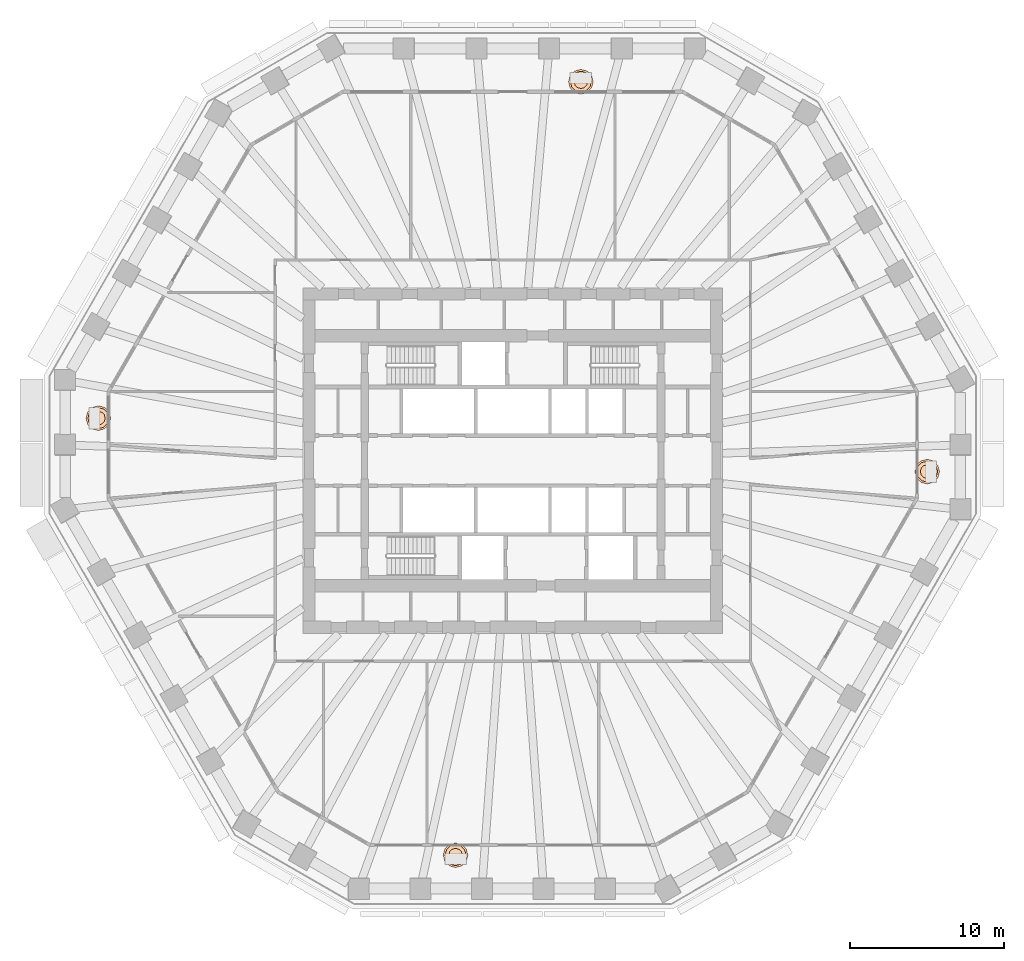
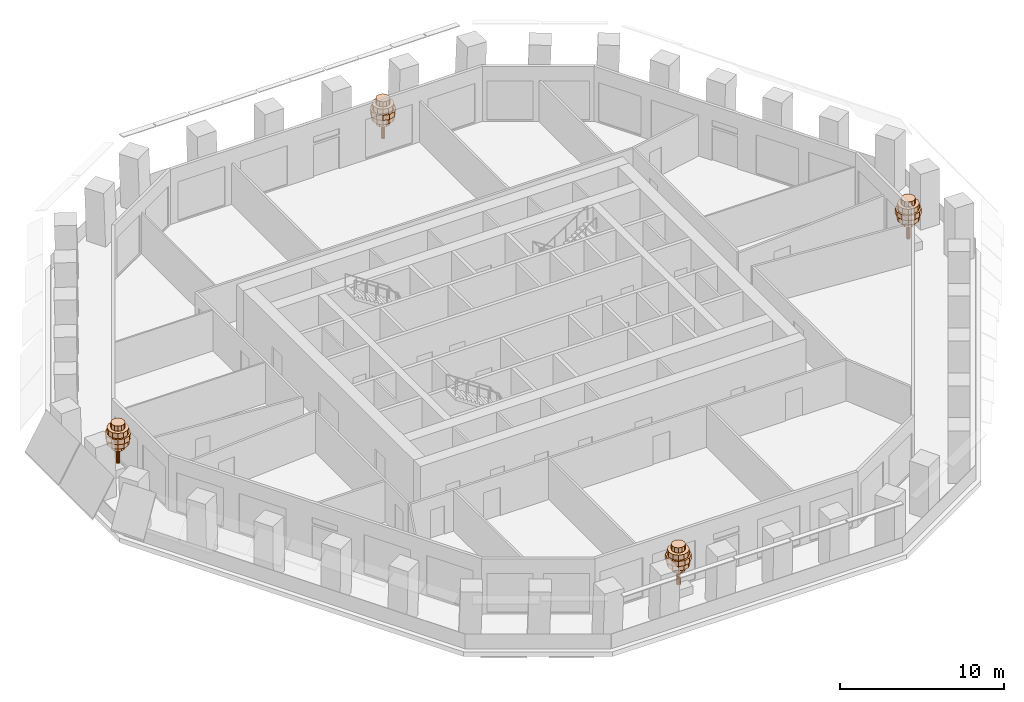
# One storey, part 13 of 13: 4 geographic elements.
"""IFC4 building model written with IfcOpenShell, lengths in metres."""

from ifc_helpers import new_model, si_unit, direction, frame, origin, place, context, subcontext, project, spatial, polyline, outline, extrude, material, type_object, element, save


model = new_model("IFC4")

# Units and contexts
model_context = context("Model", 3, precision=1e-05, world=origin(), true_north=direction((0.0, 1.0)))
body_context = subcontext(model_context, "Body", "Model", "MODEL_VIEW")
ifc_project = project(units=[si_unit("LENGTHUNIT", "METRE"), si_unit("AREAUNIT", "SQUARE_METRE"), si_unit("VOLUMEUNIT", "CUBIC_METRE"), si_unit("PLANEANGLEUNIT", "RADIAN"), si_unit("MASSUNIT", "GRAM", prefix="KILO")], contexts=[model_context])

# Site, building, storey
site_placement = place(None, origin())
site = spatial("IfcSite", under=ifc_project, at=site_placement, CompositionType="ELEMENT")
building_placement = place(site_placement, origin())
building = spatial("IfcBuilding", under=site, at=building_placement, Name="Frailejon Research Tower", CompositionType="ELEMENT")
storey_placement = place(building_placement, frame((0.0, 0.0, 113.199951171875)))
storey = spatial("IfcBuildingStorey", under=building, at=storey_placement, Name="L24", CompositionType="ELEMENT", Elevation=113.199951171875)

# Geographic elements
ifc_material = material(Name="Foliage, green")
geographic_element_type = type_object("IfcGeographicElementType", Name="Frailejon tree, loggia", PredefinedType="USERDEFINED", material=ifc_material)
geographic_element_1_placement = place(storey_placement, frame((26.8505859375, -0.7138671875, 0.60009765625)))
element("IfcGeographicElement", 1, at=geographic_element_1_placement, inside=storey, type_object=geographic_element_type, Name="Tree L24", ObjectType="TREE", PredefinedType="USERDEFINED", context=body_context, shape_type="SweptSolid", body=[
    extrude(outline(polyline([(0.1298828125, 0.0), (0.112548828125, 0.06494140625), (0.06494140625, 0.112548828125), (0.0, 0.1298828125), (-0.06494140625, 0.112548828125), (-0.112548828125, 0.06494140625), (-0.1298828125, 0.0), (-0.112548828125, -0.06494140625), (-0.06494140625, -0.112548828125), (0.0, -0.1298828125), (0.06494140625, -0.112548828125), (0.112548828125, -0.06494140625), (0.1298828125, 0.0)])), origin(), (0.0, 0.0, 1.0), 2.239990234375),
    extrude(outline(polyline([(0.43994140625, 0.0), (0.381103515625, 0.219970703125), (0.219970703125, 0.381103515625), (0.0, 0.43994140625), (-0.219970703125, 0.381103515625), (-0.381103515625, 0.219970703125), (-0.43994140625, 0.0), (-0.381103515625, -0.219970703125), (-0.219970703125, -0.381103515625), (0.0, -0.43994140625), (0.219970703125, -0.381103515625), (0.381103515625, -0.219970703125), (0.43994140625, 0.0)])), frame((0.0, 0.0, 1.10009765625)), (0.0, 0.0, 1.0), 0.3798828125),
    extrude(outline(polyline([(0.719970703125, 0.0), (0.62353515625, 0.360107421875), (0.360107421875, 0.62353515625), (0.0, 0.719970703125), (-0.360107421875, 0.62353515625), (-0.62353515625, 0.360107421875), (-0.719970703125, 0.0), (-0.62353515625, -0.360107421875), (-0.360107421875, -0.62353515625), (0.0, -0.719970703125), (0.360107421875, -0.62353515625), (0.62353515625, -0.360107421875), (0.719970703125, 0.0)])), frame((0.0, 0.0, 1.47998046875)), (0.0, 0.0, 1.0), 0.3798828125),
    extrude(outline(polyline([(0.800048828125, 0.0), (0.69287109375, 0.39990234375), (0.39990234375, 0.69287109375), (0.0, 0.800048828125), (-0.39990234375, 0.69287109375), (-0.69287109375, 0.39990234375), (-0.800048828125, 0.0), (-0.69287109375, -0.39990234375), (-0.39990234375, -0.69287109375), (0.0, -0.800048828125), (0.39990234375, -0.69287109375), (0.69287109375, -0.39990234375), (0.800048828125, 0.0)])), frame((0.0, 0.0, 1.860107421875)), (0.0, 0.0, 1.0), 0.3798828125),
    extrude(outline(polyline([(0.679931640625, 0.0), (0.5888671875, 0.340087890625), (0.340087890625, 0.5888671875), (0.0, 0.679931640625), (-0.340087890625, 0.5888671875), (-0.5888671875, 0.340087890625), (-0.679931640625, 0.0), (-0.5888671875, -0.340087890625), (-0.340087890625, -0.5888671875), (0.0, -0.679931640625), (0.340087890625, -0.5888671875), (0.5888671875, -0.340087890625), (0.679931640625, 0.0)])), frame((0.0, 0.0, 2.239990234375)), (0.0, 0.0, 1.0), 0.3798828125),
    extrude(outline(polyline([(0.43994140625, 0.0), (0.381103515625, 0.219970703125), (0.219970703125, 0.381103515625), (0.0, 0.43994140625), (-0.219970703125, 0.381103515625), (-0.381103515625, 0.219970703125), (-0.43994140625, 0.0), (-0.381103515625, -0.219970703125), (-0.219970703125, -0.381103515625), (0.0, -0.43994140625), (0.219970703125, -0.381103515625), (0.381103515625, -0.219970703125), (0.43994140625, 0.0)])), frame((0.0, 0.0, 2.6201171875)), (0.0, 0.0, 1.0), 0.3798828125),
])
geographic_element_2_placement = place(storey_placement, frame((4.412841796875, 24.550048828125, 0.60009765625)))
element("IfcGeographicElement", 2, at=geographic_element_2_placement, inside=storey, type_object=geographic_element_type, Name="Tree L24", ObjectType="TREE", PredefinedType="USERDEFINED", context=body_context, shape_type="SweptSolid", body=[
    extrude(outline(polyline([(0.1298828125, 0.0), (0.112548828125, 0.06494140625), (0.06494140625, 0.112548828125), (0.0, 0.1298828125), (-0.06494140625, 0.112548828125), (-0.112548828125, 0.06494140625), (-0.1298828125, 0.0), (-0.112548828125, -0.06494140625), (-0.06494140625, -0.112548828125), (0.0, -0.1298828125), (0.06494140625, -0.112548828125), (0.112548828125, -0.06494140625), (0.1298828125, 0.0)])), origin(), (0.0, 0.0, 1.0), 2.239990234375),
    extrude(outline(polyline([(0.43994140625, 0.0), (0.381103515625, 0.219970703125), (0.219970703125, 0.381103515625), (0.0, 0.43994140625), (-0.219970703125, 0.381103515625), (-0.381103515625, 0.219970703125), (-0.43994140625, 0.0), (-0.381103515625, -0.219970703125), (-0.219970703125, -0.381103515625), (0.0, -0.43994140625), (0.219970703125, -0.381103515625), (0.381103515625, -0.219970703125), (0.43994140625, 0.0)])), frame((0.0, 0.0, 1.10009765625)), (0.0, 0.0, 1.0), 0.3798828125),
    extrude(outline(polyline([(0.719970703125, 0.0), (0.62353515625, 0.360107421875), (0.360107421875, 0.62353515625), (0.0, 0.719970703125), (-0.360107421875, 0.62353515625), (-0.62353515625, 0.360107421875), (-0.719970703125, 0.0), (-0.62353515625, -0.360107421875), (-0.360107421875, -0.62353515625), (0.0, -0.719970703125), (0.360107421875, -0.62353515625), (0.62353515625, -0.360107421875), (0.719970703125, 0.0)])), frame((0.0, 0.0, 1.47998046875)), (0.0, 0.0, 1.0), 0.3798828125),
    extrude(outline(polyline([(0.800048828125, 0.0), (0.69287109375, 0.39990234375), (0.39990234375, 0.69287109375), (0.0, 0.800048828125), (-0.39990234375, 0.69287109375), (-0.69287109375, 0.39990234375), (-0.800048828125, 0.0), (-0.69287109375, -0.39990234375), (-0.39990234375, -0.69287109375), (0.0, -0.800048828125), (0.39990234375, -0.69287109375), (0.69287109375, -0.39990234375), (0.800048828125, 0.0)])), frame((0.0, 0.0, 1.860107421875)), (0.0, 0.0, 1.0), 0.3798828125),
    extrude(outline(polyline([(0.679931640625, 0.0), (0.5888671875, 0.340087890625), (0.340087890625, 0.5888671875), (0.0, 0.679931640625), (-0.340087890625, 0.5888671875), (-0.5888671875, 0.340087890625), (-0.679931640625, 0.0), (-0.5888671875, -0.340087890625), (-0.340087890625, -0.5888671875), (0.0, -0.679931640625), (0.340087890625, -0.5888671875), (0.5888671875, -0.340087890625), (0.679931640625, 0.0)])), frame((0.0, 0.0, 2.239990234375)), (0.0, 0.0, 1.0), 0.3798828125),
    extrude(outline(polyline([(0.43994140625, 0.0), (0.381103515625, 0.219970703125), (0.219970703125, 0.381103515625), (0.0, 0.43994140625), (-0.219970703125, 0.381103515625), (-0.381103515625, 0.219970703125), (-0.43994140625, 0.0), (-0.381103515625, -0.219970703125), (-0.219970703125, -0.381103515625), (0.0, -0.43994140625), (0.219970703125, -0.381103515625), (0.381103515625, -0.219970703125), (0.43994140625, 0.0)])), frame((0.0, 0.0, 2.6201171875)), (0.0, 0.0, 1.0), 0.3798828125),
])
geographic_element_3_placement = place(storey_placement, frame((-26.8505859375, 2.750244140625, 0.60009765625)))
element("IfcGeographicElement", 3, at=geographic_element_3_placement, inside=storey, type_object=geographic_element_type, Name="Tree L24", ObjectType="TREE", PredefinedType="USERDEFINED", context=body_context, shape_type="SweptSolid", body=[
    extrude(outline(polyline([(0.1298828125, 0.0), (0.112548828125, 0.06494140625), (0.06494140625, 0.112548828125), (0.0, 0.1298828125), (-0.06494140625, 0.112548828125), (-0.112548828125, 0.06494140625), (-0.1298828125, 0.0), (-0.112548828125, -0.06494140625), (-0.06494140625, -0.112548828125), (0.0, -0.1298828125), (0.06494140625, -0.112548828125), (0.112548828125, -0.06494140625), (0.1298828125, 0.0)])), origin(), (0.0, 0.0, 1.0), 2.239990234375),
    extrude(outline(polyline([(0.43994140625, 0.0), (0.381103515625, 0.219970703125), (0.219970703125, 0.381103515625), (0.0, 0.43994140625), (-0.219970703125, 0.381103515625), (-0.381103515625, 0.219970703125), (-0.43994140625, 0.0), (-0.381103515625, -0.219970703125), (-0.219970703125, -0.381103515625), (0.0, -0.43994140625), (0.219970703125, -0.381103515625), (0.381103515625, -0.219970703125), (0.43994140625, 0.0)])), frame((0.0, 0.0, 1.10009765625)), (0.0, 0.0, 1.0), 0.3798828125),
    extrude(outline(polyline([(0.719970703125, 0.0), (0.62353515625, 0.360107421875), (0.360107421875, 0.62353515625), (0.0, 0.719970703125), (-0.360107421875, 0.62353515625), (-0.62353515625, 0.360107421875), (-0.719970703125, 0.0), (-0.62353515625, -0.360107421875), (-0.360107421875, -0.62353515625), (0.0, -0.719970703125), (0.360107421875, -0.62353515625), (0.62353515625, -0.360107421875), (0.719970703125, 0.0)])), frame((0.0, 0.0, 1.47998046875)), (0.0, 0.0, 1.0), 0.3798828125),
    extrude(outline(polyline([(0.800048828125, 0.0), (0.69287109375, 0.39990234375), (0.39990234375, 0.69287109375), (0.0, 0.800048828125), (-0.39990234375, 0.69287109375), (-0.69287109375, 0.39990234375), (-0.800048828125, 0.0), (-0.69287109375, -0.39990234375), (-0.39990234375, -0.69287109375), (0.0, -0.800048828125), (0.39990234375, -0.69287109375), (0.69287109375, -0.39990234375), (0.800048828125, 0.0)])), frame((0.0, 0.0, 1.860107421875)), (0.0, 0.0, 1.0), 0.3798828125),
    extrude(outline(polyline([(0.679931640625, 0.0), (0.5888671875, 0.340087890625), (0.340087890625, 0.5888671875), (0.0, 0.679931640625), (-0.340087890625, 0.5888671875), (-0.5888671875, 0.340087890625), (-0.679931640625, 0.0), (-0.5888671875, -0.340087890625), (-0.340087890625, -0.5888671875), (0.0, -0.679931640625), (0.340087890625, -0.5888671875), (0.5888671875, -0.340087890625), (0.679931640625, 0.0)])), frame((0.0, 0.0, 2.239990234375)), (0.0, 0.0, 1.0), 0.3798828125),
    extrude(outline(polyline([(0.43994140625, 0.0), (0.381103515625, 0.219970703125), (0.219970703125, 0.381103515625), (0.0, 0.43994140625), (-0.219970703125, 0.381103515625), (-0.381103515625, 0.219970703125), (-0.43994140625, 0.0), (-0.381103515625, -0.219970703125), (-0.219970703125, -0.381103515625), (0.0, -0.43994140625), (0.219970703125, -0.381103515625), (0.381103515625, -0.219970703125), (0.43994140625, 0.0)])), frame((0.0, 0.0, 2.6201171875)), (0.0, 0.0, 1.0), 0.3798828125),
])
geographic_element_4_placement = place(storey_placement, frame((-3.70751953125, -25.568115234375, 0.60009765625)))
element("IfcGeographicElement", 4, at=geographic_element_4_placement, inside=storey, type_object=geographic_element_type, Name="Tree L24", ObjectType="TREE", PredefinedType="USERDEFINED", context=body_context, shape_type="SweptSolid", body=[
    extrude(outline(polyline([(0.1298828125, 0.0), (0.112548828125, 0.06494140625), (0.06494140625, 0.112548828125), (0.0, 0.1298828125), (-0.06494140625, 0.112548828125), (-0.112548828125, 0.06494140625), (-0.1298828125, 0.0), (-0.112548828125, -0.06494140625), (-0.06494140625, -0.112548828125), (0.0, -0.1298828125), (0.06494140625, -0.112548828125), (0.112548828125, -0.06494140625), (0.1298828125, 0.0)])), origin(), (0.0, 0.0, 1.0), 2.239990234375),
    extrude(outline(polyline([(0.43994140625, 0.0), (0.381103515625, 0.219970703125), (0.219970703125, 0.381103515625), (0.0, 0.43994140625), (-0.219970703125, 0.381103515625), (-0.381103515625, 0.219970703125), (-0.43994140625, 0.0), (-0.381103515625, -0.219970703125), (-0.219970703125, -0.381103515625), (0.0, -0.43994140625), (0.219970703125, -0.381103515625), (0.381103515625, -0.219970703125), (0.43994140625, 0.0)])), frame((0.0, 0.0, 1.10009765625)), (0.0, 0.0, 1.0), 0.3798828125),
    extrude(outline(polyline([(0.719970703125, 0.0), (0.62353515625, 0.360107421875), (0.360107421875, 0.62353515625), (0.0, 0.719970703125), (-0.360107421875, 0.62353515625), (-0.62353515625, 0.360107421875), (-0.719970703125, 0.0), (-0.62353515625, -0.360107421875), (-0.360107421875, -0.62353515625), (0.0, -0.719970703125), (0.360107421875, -0.62353515625), (0.62353515625, -0.360107421875), (0.719970703125, 0.0)])), frame((0.0, 0.0, 1.47998046875)), (0.0, 0.0, 1.0), 0.3798828125),
    extrude(outline(polyline([(0.800048828125, 0.0), (0.69287109375, 0.39990234375), (0.39990234375, 0.69287109375), (0.0, 0.800048828125), (-0.39990234375, 0.69287109375), (-0.69287109375, 0.39990234375), (-0.800048828125, 0.0), (-0.69287109375, -0.39990234375), (-0.39990234375, -0.69287109375), (0.0, -0.800048828125), (0.39990234375, -0.69287109375), (0.69287109375, -0.39990234375), (0.800048828125, 0.0)])), frame((0.0, 0.0, 1.860107421875)), (0.0, 0.0, 1.0), 0.3798828125),
    extrude(outline(polyline([(0.679931640625, 0.0), (0.5888671875, 0.340087890625), (0.340087890625, 0.5888671875), (0.0, 0.679931640625), (-0.340087890625, 0.5888671875), (-0.5888671875, 0.340087890625), (-0.679931640625, 0.0), (-0.5888671875, -0.340087890625), (-0.340087890625, -0.5888671875), (0.0, -0.679931640625), (0.340087890625, -0.5888671875), (0.5888671875, -0.340087890625), (0.679931640625, 0.0)])), frame((0.0, 0.0, 2.239990234375)), (0.0, 0.0, 1.0), 0.3798828125),
    extrude(outline(polyline([(0.43994140625, 0.0), (0.381103515625, 0.219970703125), (0.219970703125, 0.381103515625), (0.0, 0.43994140625), (-0.219970703125, 0.381103515625), (-0.381103515625, 0.219970703125), (-0.43994140625, 0.0), (-0.381103515625, -0.219970703125), (-0.219970703125, -0.381103515625), (0.0, -0.43994140625), (0.219970703125, -0.381103515625), (0.381103515625, -0.219970703125), (0.43994140625, 0.0)])), frame((0.0, 0.0, 2.6201171875)), (0.0, 0.0, 1.0), 0.3798828125),
])

save(model, "model.ifc")
